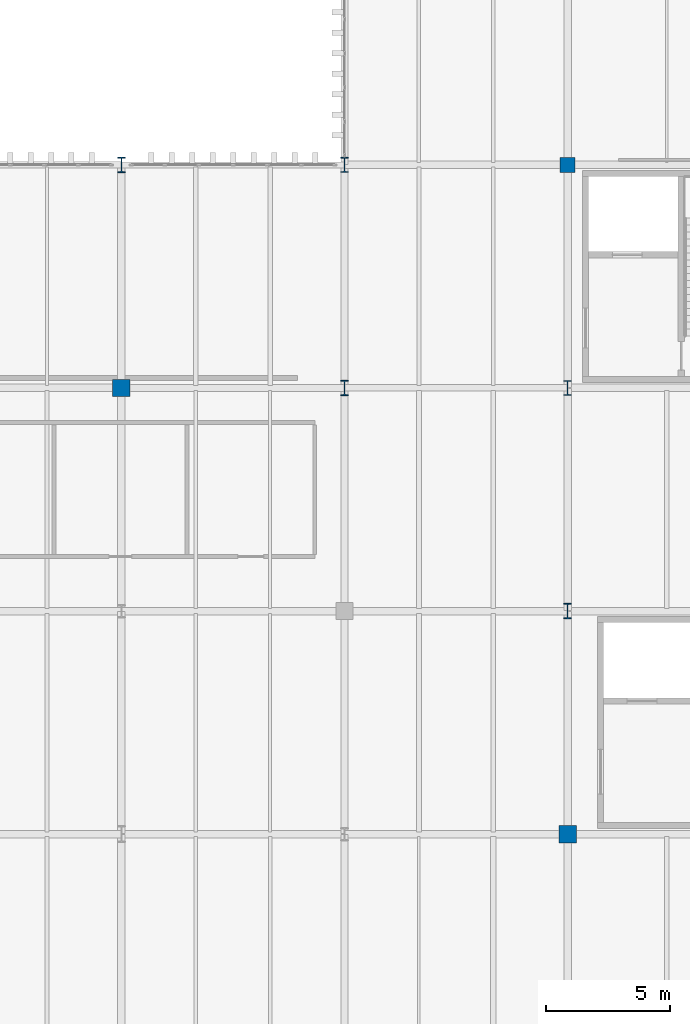
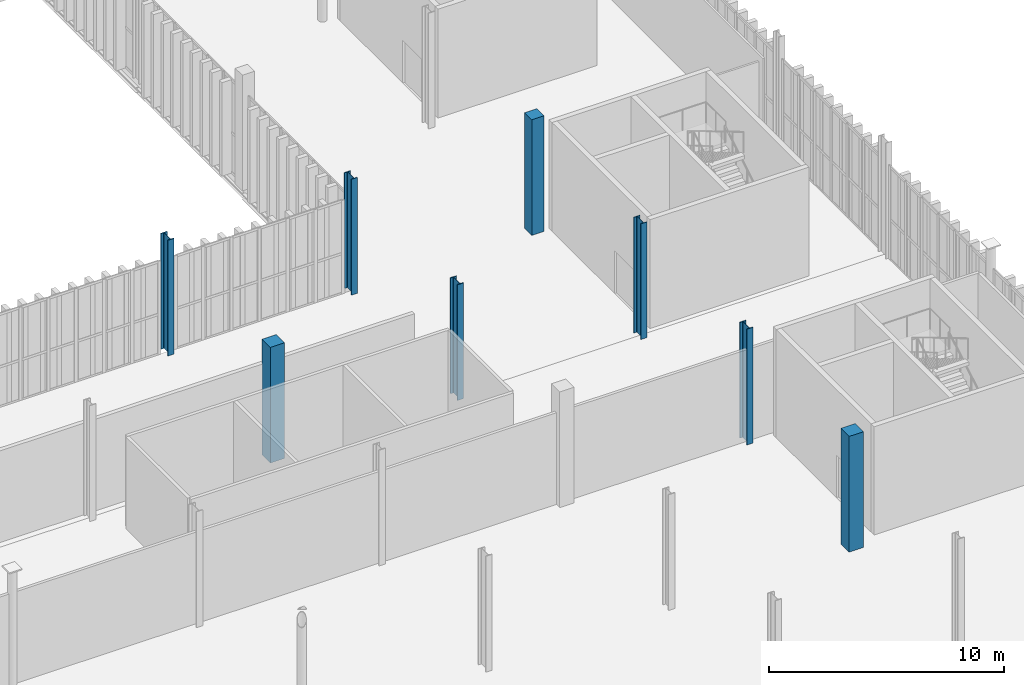
# One storey, part 16 of 237: 8 columns.
"""IFC4 building model written with IfcOpenShell, lengths in metres."""

from ifc_helpers import new_model, si_unit, direction, frame, origin, origin_2d, place, context, subcontext, project, spatial, rectangle, i_section, extrude, material, material_profile, profile_set, type_object, element, save


model = new_model("IFC4")

# Units and contexts
model_context = context("Model", 3, precision=1e-05, world=origin(), true_north=direction((0.0, 1.0)))
body_context = subcontext(model_context, "Body", "Model", "MODEL_VIEW")
ifc_project = project(units=[si_unit("LENGTHUNIT", "METRE"), si_unit("AREAUNIT", "SQUARE_METRE"), si_unit("VOLUMEUNIT", "CUBIC_METRE"), si_unit("PLANEANGLEUNIT", "RADIAN"), si_unit("MASSUNIT", "GRAM", prefix="KILO")], contexts=[model_context])

# Site, building, storey
site_placement = place(None, origin())
site = spatial("IfcSite", under=ifc_project, at=site_placement, CompositionType="ELEMENT")
building_placement = place(site_placement, origin())
building = spatial("IfcBuilding", under=site, at=building_placement, Name="Barlavento Convention Centre", CompositionType="ELEMENT")
storey_placement = place(building_placement, frame((0.0, 0.0, 12.0)))
storey = spatial("IfcBuildingStorey", under=building, at=storey_placement, Name="L02", CompositionType="ELEMENT", Elevation=12.0)

# Columns
ifc_material_1 = material(Name="Steel S355", Category="steel")
ifc_material_profile_1 = material_profile(ifc_material_1, i_section(OverallWidth=0.300048828125, OverallDepth=0.60009765625, WebThickness=0.015380859375, FlangeThickness=0.030029296875, FilletRadius=0.027099609375, at=origin_2d()), Name="HEB 600")
ifc_profile_set_1 = profile_set([ifc_material_profile_1], Name="Steel S355")
column_type_1 = type_object("IfcColumnType", Name="STR-COL-HEB600", PredefinedType="COLUMN", material=ifc_profile_set_1)
for number, where, z_axis, x_axis, name in (
    (1, (171.0, 63.0, 0.0), (0.0, 0.0, 1.0), (1.0, 0.0, 0.0), "L02 column SC08"),
    (2, (180.0, 54.0, 0.0), (0.0, 0.0, 1.0), (1.0, 0.0, 0.0), "L02 column SC08"),
):
    element("IfcColumn", number, at=place(storey_placement, frame(where, z_axis=z_axis, x_axis=x_axis)), inside=storey, type_object=column_type_1, Name=name, PredefinedType="COLUMN", context=body_context, shape_type="SweptSolid", body=[
        extrude(i_section(OverallWidth=0.300048828125, OverallDepth=0.60009765625, WebThickness=0.015380859375, FlangeThickness=0.030029296875, FilletRadius=0.027099609375, at=origin_2d()), origin(), (0.0, 0.0, 1.0), 6.0),
    ])
ifc_material_profile_2 = material_profile(ifc_material_1, i_section(OverallWidth=0.304931640625, OverallDepth=0.6201171875, WebThickness=0.02099609375, FlangeThickness=0.0400390625, FilletRadius=0.027099609375, at=origin_2d()), Name="HEM 600")
ifc_profile_set_2 = profile_set([ifc_material_profile_2], Name="Steel S355")
column_type_2 = type_object("IfcColumnType", Name="STR-COL-HEM600", PredefinedType="COLUMN", material=ifc_profile_set_2)
for number, where, z_axis, x_axis, name in (
    (3, (162.0, 63.0, 0.0), (0.0, 0.0, 1.0), (1.0, 0.0, 0.0), "L02 column SC05"),
    (4, (171.0, 54.0, 0.0), (0.0, 0.0, 1.0), (1.0, 0.0, 0.0), "L02 column SC05"),
    (5, (180.0, 45.0, 0.0), (0.0, 0.0, 1.0), (1.0, 0.0, 0.0), "L02 column SC05"),
):
    element("IfcColumn", number, at=place(storey_placement, frame(where, z_axis=z_axis, x_axis=x_axis)), inside=storey, type_object=column_type_2, Name=name, PredefinedType="COLUMN", context=body_context, shape_type="SweptSolid", body=[
        extrude(i_section(OverallWidth=0.304931640625, OverallDepth=0.6201171875, WebThickness=0.02099609375, FlangeThickness=0.0400390625, FilletRadius=0.027099609375, at=origin_2d()), origin(), (0.0, 0.0, 1.0), 6.0),
    ])
ifc_material_2 = material(Name="Concrete C40/50", Category="concrete")
ifc_material_profile_3 = material_profile(ifc_material_2, rectangle(XDim=0.60009765625, YDim=0.60009765625, at=origin_2d()), Name="RC 600x600")
ifc_profile_set_3 = profile_set([ifc_material_profile_3], Name="Concrete C40/50")
column_type_3 = type_object("IfcColumnType", Name="STR-COL-RC600", PredefinedType="COLUMN", material=ifc_profile_set_3)
column_placement = place(storey_placement, frame((180.0, 63.0, 0.0), z_axis=(0.0, 0.0, 1.0), x_axis=(1.0, 0.0, 0.0)))
element("IfcColumn", 6, at=column_placement, inside=storey, type_object=column_type_3, Name="L02 column CC07", PredefinedType="COLUMN", context=body_context, shape_type="SweptSolid", body=[
    extrude(rectangle(XDim=0.60009765625, YDim=0.60009765625, at=origin_2d()), origin(), (0.0, 0.0, 1.0), 6.0),
])
ifc_material_profile_4 = material_profile(ifc_material_2, rectangle(XDim=0.699951171875, YDim=0.699951171875, at=origin_2d()), Name="RC 700x700")
ifc_profile_set_4 = profile_set([ifc_material_profile_4], Name="Concrete C40/50")
column_type_4 = type_object("IfcColumnType", Name="STR-COL-RC700", PredefinedType="COLUMN", material=ifc_profile_set_4)
for number, where, z_axis, x_axis, name in (
    (7, (162.0, 54.0, 0.0), (0.0, 0.0, 1.0), (1.0, 0.0, 0.0), "L02 column CC06"),
    (8, (180.0, 36.0, 0.0), (0.0, 0.0, 1.0), (1.0, 0.0, 0.0), "L02 column CC06"),
):
    element("IfcColumn", number, at=place(storey_placement, frame(where, z_axis=z_axis, x_axis=x_axis)), inside=storey, type_object=column_type_4, Name=name, PredefinedType="COLUMN", context=body_context, shape_type="SweptSolid", body=[
        extrude(rectangle(XDim=0.699951171875, YDim=0.699951171875, at=origin_2d()), origin(), (0.0, 0.0, 1.0), 6.0),
    ])

save(model, "model.ifc")
